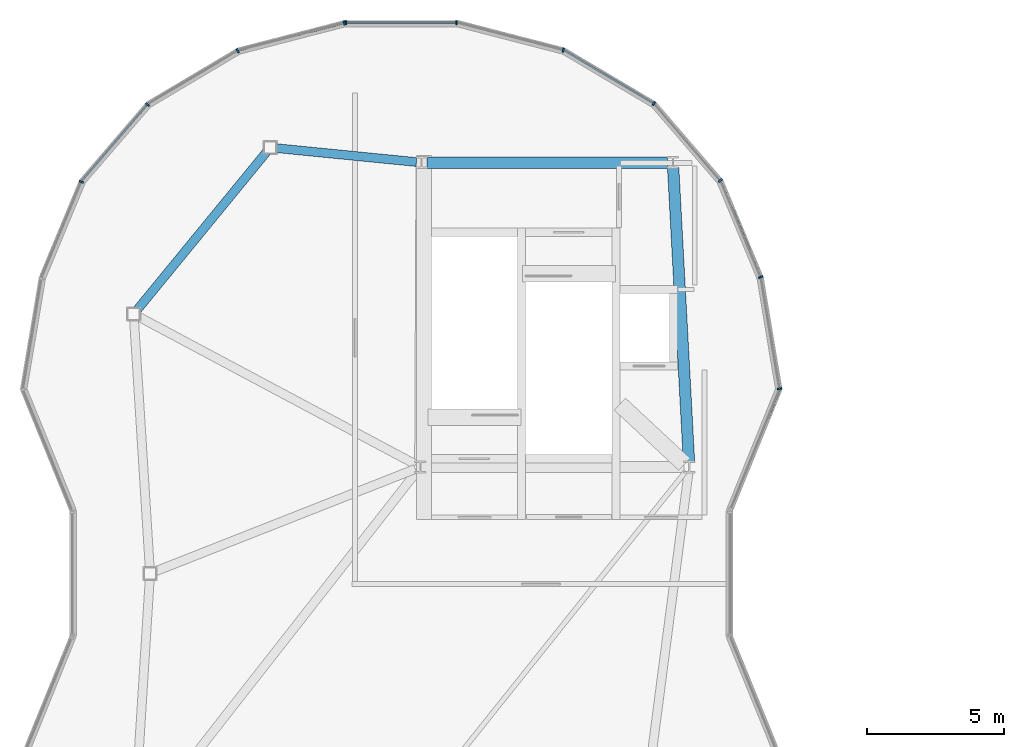
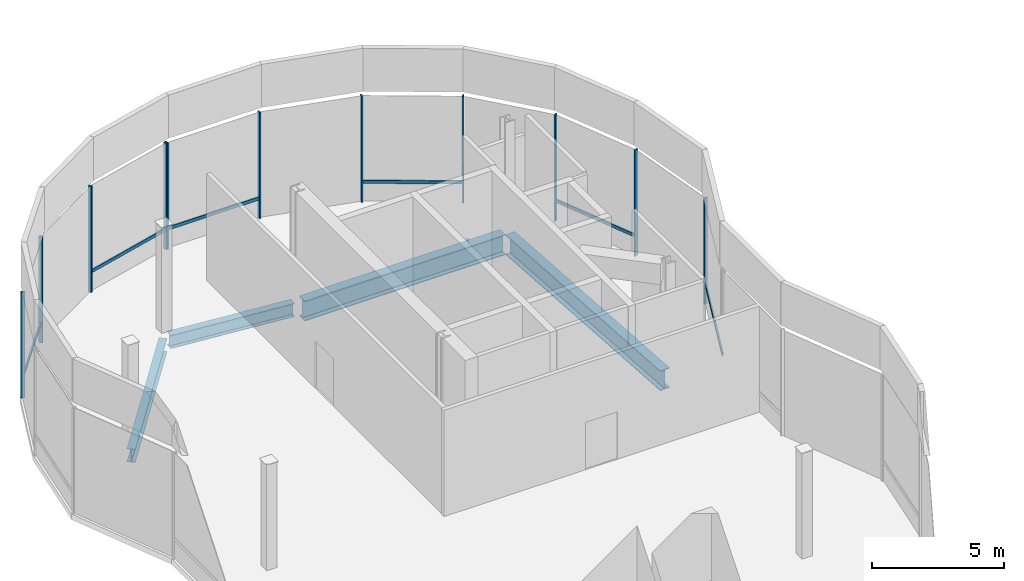
# One storey, part 5 of 14: 17 members, 4 beams, 2 elements without a shape of their own.
"""IFC4 building model written with IfcOpenShell, lengths in metres."""

from ifc_helpers import new_model, si_unit, direction, frame, origin, origin_2d, place, context, subcontext, project, spatial, rectangle, i_section, extrude, material, material_profile, profile_set, type_object, element, aggregate, save


model = new_model("IFC4")

# Units and contexts
model_context = context("Model", 3, precision=1e-05, world=origin(), true_north=direction((0.0, 1.0)))
body_context = subcontext(model_context, "Body", "Model", "MODEL_VIEW")
ifc_project = project(units=[si_unit("LENGTHUNIT", "METRE"), si_unit("AREAUNIT", "SQUARE_METRE"), si_unit("VOLUMEUNIT", "CUBIC_METRE"), si_unit("PLANEANGLEUNIT", "RADIAN"), si_unit("MASSUNIT", "GRAM", prefix="KILO"), si_unit("THERMODYNAMICTEMPERATUREUNIT", "KELVIN"), si_unit("POWERUNIT", "WATT")], contexts=[model_context])

# Site, building, storey
site_placement = place(None, origin())
site = spatial("IfcSite", under=ifc_project, at=site_placement, CompositionType="ELEMENT")
building_placement = place(site_placement, origin())
building = spatial("IfcBuilding", under=site, at=building_placement, Name="Cundina Bronze Exchange", CompositionType="ELEMENT")
storey_placement = place(building_placement, frame((0.0, 0.0, 286.39990234375)))
storey = spatial("IfcBuildingStorey", under=building, at=storey_placement, Name="L76", CompositionType="ELEMENT", Elevation=286.39990234375)

# Beams
ifc_material_1 = material(Name="Steel ASTM A992 Grade 50", Category="steel")
ifc_material_profile_1 = material_profile(ifc_material_1, i_section(OverallWidth=0.324951171875, OverallDepth=0.615966796875, WebThickness=0.013916015625, FlangeThickness=0.021484375, FilletRadius=0.01611328125, at=origin_2d()), Name="W24X117", Category="steel")
ifc_profile_set_1 = profile_set([ifc_material_profile_1], Name="Steel ASTM A992 Grade 50")
beam_type_1 = type_object("IfcBeamType", Name="BM-RING-W24", PredefinedType="USERDEFINED", material=ifc_profile_set_1)
beam_1_placement = place(storey_placement, frame((-31.445068359375, 15.0693359375, -0.56787109375), z_axis=(-0.995123343793, 0.098638383187, 0.0), x_axis=(-0.098638383187, -0.995123343793, 0.0)))
element("IfcBeam", 1, at=beam_1_placement, inside=storey, type_object=beam_type_1, Name="L76 W Inner Structural Ring Girder 01", ObjectType="GIRDER", PredefinedType="USERDEFINED", context=body_context, shape_type="SweptSolid", body=[
    extrude(i_section(OverallWidth=0.324951171875, OverallDepth=0.615966796875, WebThickness=0.013916015625, FlangeThickness=0.021484375, FilletRadius=0.01611328125, at=origin_2d()), origin(), (0.0, 0.0, 1.0), 5.16796875),
])
beam_2_placement = place(storey_placement, frame((-36.93505859375, 15.435302734375, -0.56787109375), z_axis=(-0.633932446684, -0.773388423136, 0.0), x_axis=(0.773388423136, -0.633932446684, 0.0)))
element("IfcBeam", 2, at=beam_2_placement, inside=storey, type_object=beam_type_1, Name="L76 W Inner Structural Ring Girder 02", ObjectType="GIRDER", PredefinedType="USERDEFINED", context=body_context, shape_type="SweptSolid", body=[
    extrude(i_section(OverallWidth=0.324951171875, OverallDepth=0.615966796875, WebThickness=0.013916015625, FlangeThickness=0.021484375, FilletRadius=0.01611328125, at=origin_2d()), origin(), (0.0, 0.0, 1.0), 7.46142578125),
])
ifc_material_profile_2 = material_profile(ifc_material_1, i_section(OverallWidth=0.41796875, OverallDepth=0.927001953125, WebThickness=0.019287109375, FlangeThickness=0.031982421875, FilletRadius=0.02392578125, at=origin_2d()), Name="W36X231", Category="steel")
ifc_profile_set_2 = profile_set([ifc_material_profile_2], Name="Steel ASTM A992 Grade 50")
beam_type_2 = type_object("IfcBeamType", Name="BM-WRN-W36B", PredefinedType="USERDEFINED", material=ifc_profile_set_2)
beam_3_placement = place(storey_placement, frame((-21.46044921875, 4.095703125, -0.723388671875), z_axis=(-0.053749317644, 0.998554460634, 0.0), x_axis=(-0.998554460634, -0.053749317644, 0.0)))
element("IfcBeam", 3, at=beam_3_placement, inside=storey, type_object=beam_type_2, Name="L76 W Core Perimeter Tie Girder 2", ObjectType="GIRDER", PredefinedType="USERDEFINED", context=body_context, shape_type="SweptSolid", body=[
    extrude(i_section(OverallWidth=0.41796875, OverallDepth=0.927001953125, WebThickness=0.019287109375, FlangeThickness=0.031982421875, FilletRadius=0.02392578125, at=origin_2d()), origin(), (0.0, 0.0, 1.0), 10.774169921875),
])
beam_4_placement = place(storey_placement, frame((-22.24609375, 15.050048828125, -0.723388671875), z_axis=(-1.0, 0.0, 0.0), x_axis=(0.0, -1.0, 0.0)))
element("IfcBeam", 4, at=beam_4_placement, inside=storey, type_object=beam_type_2, Name="L76 W Core Perimeter Tie Girder 3", ObjectType="GIRDER", PredefinedType="USERDEFINED", context=body_context, shape_type="SweptSolid", body=[
    extrude(i_section(OverallWidth=0.41796875, OverallDepth=0.927001953125, WebThickness=0.019287109375, FlangeThickness=0.031982421875, FilletRadius=0.02392578125, at=origin_2d()), origin(), (0.0, 0.0, 1.0), 8.807861328125),
])

# Curtain wall, members
ifc_material_2 = material(Name="Anodised Bronze Aluminium 6063-T6", Category="aluminium")
curtain_wall_type = type_object("IfcCurtainWallType", Name="CWS-CRN-TMD", PredefinedType="NOTDEFINED", material=ifc_material_2)
curtain_wall_1_placement = place(storey_placement, origin())
curtain_wall_1 = element("IfcCurtainWall", 5, at=curtain_wall_1_placement, inside=storey, type_object=curtain_wall_type, Name="L76 CW-07 Curtain Wall Run CWR-L76-W1", PredefinedType="NOTDEFINED")
ifc_material_profile_3 = material_profile(ifc_material_2, rectangle(XDim=0.06494140625, YDim=0.159912109375, at=origin_2d()), Name="AL65X160", Category="aluminium")
ifc_profile_set_3 = profile_set([ifc_material_profile_3], Name="Anodised Bronze Aluminium 6063-T6")
member_type_1 = type_object("IfcMemberType", Name="CWM-MUL-160", PredefinedType="MULLION", material=ifc_profile_set_3)
member_1_placement = place(storey_placement, frame((-18.14208984375, 6.766357421875, 0.0), z_axis=(0.0, 0.0, 1.0), x_axis=(-0.165047605861, 0.986285601537, 0.0)))
member_1 = element("IfcMember", 6, at=member_1_placement, type_object=member_type_1, Name="CW-07 Mullion 2", PredefinedType="MULLION", context=body_context, shape_type="SweptSolid", body=[
    extrude(rectangle(XDim=0.06494140625, YDim=0.159912109375, at=origin_2d()), origin(), (0.0, 0.0, 1.0), 4.93017578125),
])
member_2_placement = place(storey_placement, frame((-18.834716796875, 10.856689453125, 0.0), z_axis=(0.0, 0.0, 1.0), x_axis=(-0.383650706743, 0.923478280858, 0.0)))
member_2 = element("IfcMember", 7, at=member_2_placement, type_object=member_type_1, Name="CW-07 Mullion 3", PredefinedType="MULLION", context=body_context, shape_type="SweptSolid", body=[
    extrude(rectangle(XDim=0.06494140625, YDim=0.159912109375, at=origin_2d()), origin(), (0.0, 0.0, 1.0), 4.93017578125),
])
member_3_placement = place(storey_placement, frame((-20.314453125, 14.394287109375, 0.0), z_axis=(0.0, 0.0, 1.0), x_axis=(-0.652495272634, 0.757792794364, 0.0)))
member_3 = element("IfcMember", 8, at=member_3_placement, type_object=member_type_1, Name="CW-07 Mullion 4", PredefinedType="MULLION", context=body_context, shape_type="SweptSolid", body=[
    extrude(rectangle(XDim=0.06494140625, YDim=0.159912109375, at=origin_2d()), origin(), (0.0, 0.0, 1.0), 4.93017578125),
])
member_4_placement = place(storey_placement, frame((-22.751220703125, 17.210205078125, 0.0), z_axis=(0.0, 0.0, 1.0), x_axis=(-0.859763151952, 0.510692982667, 0.0)))
member_4 = element("IfcMember", 9, at=member_4_placement, type_object=member_type_1, Name="CW-07 Mullion 5", PredefinedType="MULLION", context=body_context, shape_type="SweptSolid", body=[
    extrude(rectangle(XDim=0.06494140625, YDim=0.159912109375, at=origin_2d()), origin(), (0.0, 0.0, 1.0), 4.93017578125),
])
member_5_placement = place(storey_placement, frame((-26.067138671875, 19.169677734375, 0.0), z_axis=(0.0, 0.0, 1.0), x_axis=(-0.968147640378, 0.250380004054, 0.0)))
member_5 = element("IfcMember", 10, at=member_5_placement, type_object=member_type_1, Name="CW-07 Mullion 6", PredefinedType="MULLION", context=body_context, shape_type="SweptSolid", body=[
    extrude(rectangle(XDim=0.06494140625, YDim=0.159912109375, at=origin_2d()), origin(), (0.0, 0.0, 1.0), 4.93017578125),
])
member_6_placement = place(storey_placement, frame((-29.9765625, 20.172119140625, 0.0), z_axis=(0.0, 0.0, 1.0), x_axis=(-1.0, 0.0, 0.0)))
member_6 = element("IfcMember", 11, at=member_6_placement, type_object=member_type_1, Name="CW-07 Mullion 7", PredefinedType="MULLION", context=body_context, shape_type="SweptSolid", body=[
    extrude(rectangle(XDim=0.06494140625, YDim=0.159912109375, at=origin_2d()), origin(), (0.0, 0.0, 1.0), 4.93017578125),
])
member_7_placement = place(storey_placement, frame((-34.0234375, 20.172119140625, 0.0), z_axis=(0.0, 0.0, 1.0), x_axis=(-1.0, 0.0, 0.0)))
member_7 = element("IfcMember", 12, at=member_7_placement, type_object=member_type_1, Name="CW-07 End Mullion", PredefinedType="MULLION", context=body_context, shape_type="SweptSolid", body=[
    extrude(rectangle(XDim=0.06494140625, YDim=0.159912109375, at=origin_2d()), origin(), (0.0, 0.0, 1.0), 4.93017578125),
])

curtain_wall_2_placement = place(storey_placement, origin())
curtain_wall_2 = element("IfcCurtainWall", 13, at=curtain_wall_2_placement, inside=storey, type_object=curtain_wall_type, Name="L76 CW-07 Curtain Wall Run CWR-L76-W2", PredefinedType="NOTDEFINED")
member_8_placement = place(storey_placement, frame((-34.087890625, 20.163818359375, 0.0), z_axis=(0.0, 0.0, 1.0), x_axis=(-0.968147640378, -0.250380004054, 0.0)))
member_8 = element("IfcMember", 14, at=member_8_placement, type_object=member_type_1, Name="CW-07 Mullion 1", PredefinedType="MULLION", context=body_context, shape_type="SweptSolid", body=[
    extrude(rectangle(XDim=0.06494140625, YDim=0.159912109375, at=origin_2d()), origin(), (0.0, 0.0, 1.0), 4.93017578125),
])
member_9_placement = place(storey_placement, frame((-37.989990234375, 19.145751953125, 0.0), z_axis=(0.0, 0.0, 1.0), x_axis=(-0.859763151952, -0.510692982667, 0.0)))
member_9 = element("IfcMember", 15, at=member_9_placement, type_object=member_type_1, Name="CW-07 Mullion 2", PredefinedType="MULLION", context=body_context, shape_type="SweptSolid", body=[
    extrude(rectangle(XDim=0.06494140625, YDim=0.159912109375, at=origin_2d()), origin(), (0.0, 0.0, 1.0), 4.93017578125),
])
member_10_placement = place(storey_placement, frame((-41.29296875, 17.17333984375, 0.0), z_axis=(0.0, 0.0, 1.0), x_axis=(-0.652495272634, -0.757792794364, 0.0)))
member_10 = element("IfcMember", 16, at=member_10_placement, type_object=member_type_1, Name="CW-07 Mullion 3", PredefinedType="MULLION", context=body_context, shape_type="SweptSolid", body=[
    extrude(rectangle(XDim=0.06494140625, YDim=0.159912109375, at=origin_2d()), origin(), (0.0, 0.0, 1.0), 4.93017578125),
])
member_11_placement = place(storey_placement, frame((-43.716064453125, 14.344482421875, 0.0), z_axis=(0.0, 0.0, 1.0), x_axis=(-0.383650706743, -0.923478280858, 0.0)))
member_11 = element("IfcMember", 17, at=member_11_placement, type_object=member_type_1, Name="CW-07 Mullion 4", PredefinedType="MULLION", context=body_context, shape_type="SweptSolid", body=[
    extrude(rectangle(XDim=0.06494140625, YDim=0.159912109375, at=origin_2d()), origin(), (0.0, 0.0, 1.0), 4.93017578125),
])

# Member
ifc_material_profile_4 = material_profile(ifc_material_2, rectangle(XDim=0.06494140625, YDim=0.14990234375, at=origin_2d()), Name="AL65X150", Category="aluminium")
ifc_profile_set_4 = profile_set([ifc_material_profile_4], Name="Anodised Bronze Aluminium 6063-T6")
member_type_2 = type_object("IfcMemberType", Name="CWM-TRN-150", PredefinedType="USERDEFINED", material=ifc_profile_set_4)
member_12_placement = place(storey_placement, frame((-19.913818359375, 2.39697265625, 0.920166015625), z_axis=(0.377528598673, 0.925997925043, 0.0), x_axis=(-0.925997925043, 0.377528598673, 0.0)))
member_12 = element("IfcMember", 18, at=member_12_placement, type_object=member_type_2, Name="CW-07 Spandrel Transom 1", ObjectType="TRANSOM", PredefinedType="USERDEFINED", context=body_context, shape_type="SweptSolid", body=[
    extrude(rectangle(XDim=0.06494140625, YDim=0.14990234375, at=origin_2d()), origin(), (0.0, 0.0, 1.0), 4.71875),
])

member_13_placement = place(storey_placement, frame((-18.848388671875, 10.8896484375, 0.920166015625), z_axis=(-0.383683502182, 0.923464655606, 0.0), x_axis=(-0.923464655606, -0.383683502182, 0.0)))
member_13 = element("IfcMember", 19, at=member_13_placement, type_object=member_type_2, Name="CW-07 Spandrel Transom 3", ObjectType="TRANSOM", PredefinedType="USERDEFINED", context=body_context, shape_type="SweptSolid", body=[
    extrude(rectangle(XDim=0.06494140625, YDim=0.14990234375, at=origin_2d()), origin(), (0.0, 0.0, 1.0), 3.777099609375),
])

member_14_placement = place(storey_placement, frame((-22.781982421875, 17.228515625, 0.920166015625), z_axis=(-0.859780509017, 0.510663760525, 0.0), x_axis=(-0.510663760525, -0.859780509017, 0.0)))
member_14 = element("IfcMember", 20, at=member_14_placement, type_object=member_type_2, Name="CW-07 Spandrel Transom 5", ObjectType="TRANSOM", PredefinedType="USERDEFINED", context=body_context, shape_type="SweptSolid", body=[
    extrude(rectangle(XDim=0.06494140625, YDim=0.14990234375, at=origin_2d()), origin(), (0.0, 0.0, 1.0), 3.790283203125),
])

member_15_placement = place(storey_placement, frame((-30.01220703125, 20.172119140625, 0.920166015625), z_axis=(-1.0, 0.0, 0.0), x_axis=(0.0, -1.0, 0.0)))
member_15 = element("IfcMember", 21, at=member_15_placement, type_object=member_type_2, Name="CW-07 Spandrel Transom 7", ObjectType="TRANSOM", PredefinedType="USERDEFINED", context=body_context, shape_type="SweptSolid", body=[
    extrude(rectangle(XDim=0.06494140625, YDim=0.14990234375, at=origin_2d()), origin(), (0.0, 0.0, 1.0), 3.9755859375),
])

aggregate(curtain_wall_1, [member_12, member_1, member_2, member_13, member_3, member_4, member_14, member_5, member_6, member_7, member_15])

member_16_placement = place(storey_placement, frame((-34.12255859375, 20.15478515625, 0.920166015625), z_axis=(-0.96816206864, -0.250324207474, 0.0), x_axis=(0.250324207474, -0.96816206864, 0.0)))
member_16 = element("IfcMember", 22, at=member_16_placement, type_object=member_type_2, Name="CW-07 Spandrel Transom 1", ObjectType="TRANSOM", PredefinedType="USERDEFINED", context=body_context, shape_type="SweptSolid", body=[
    extrude(rectangle(XDim=0.06494140625, YDim=0.14990234375, at=origin_2d()), origin(), (0.0, 0.0, 1.0), 3.971435546875),
])

member_17_placement = place(storey_placement, frame((-41.316162109375, 17.146240234375, 0.920166015625), z_axis=(-0.652483845386, -0.757802633612, 0.0), x_axis=(0.757802633612, -0.652483845386, 0.0)))
member_17 = element("IfcMember", 23, at=member_17_placement, type_object=member_type_2, Name="CW-07 Spandrel Transom 3", ObjectType="TRANSOM", PredefinedType="USERDEFINED", context=body_context, shape_type="SweptSolid", body=[
    extrude(rectangle(XDim=0.06494140625, YDim=0.14990234375, at=origin_2d()), origin(), (0.0, 0.0, 1.0), 3.667236328125),
])

aggregate(curtain_wall_2, [member_8, member_16, member_9, member_10, member_17, member_11])

save(model, "model.ifc")
